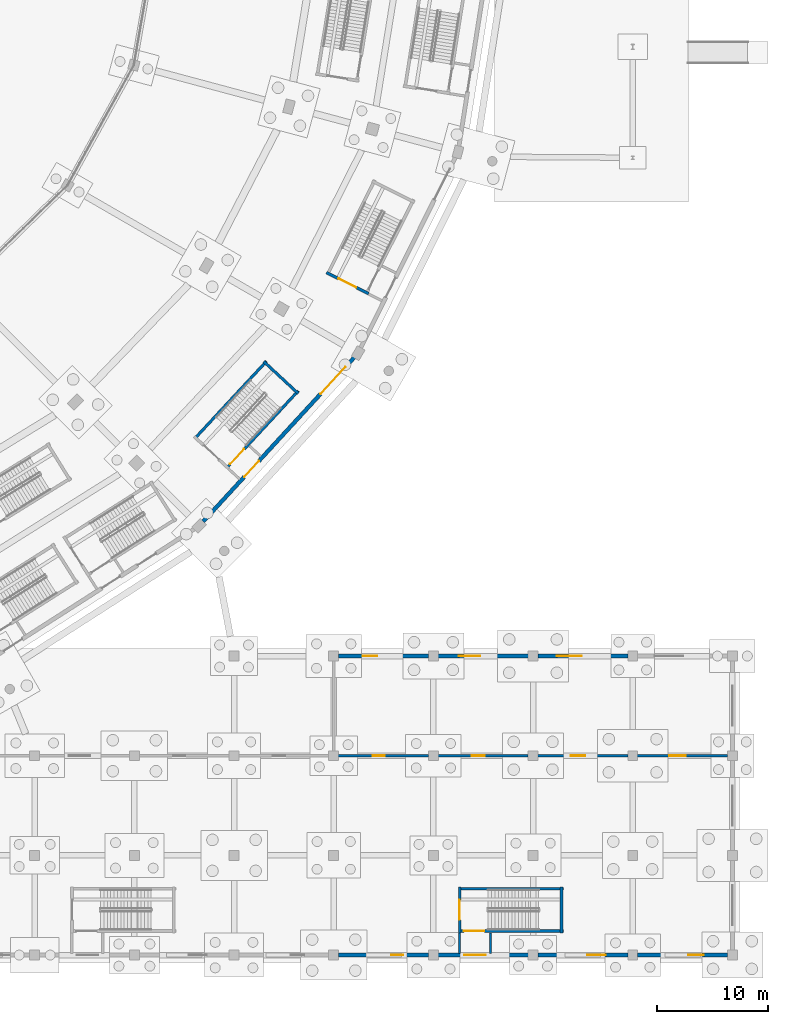
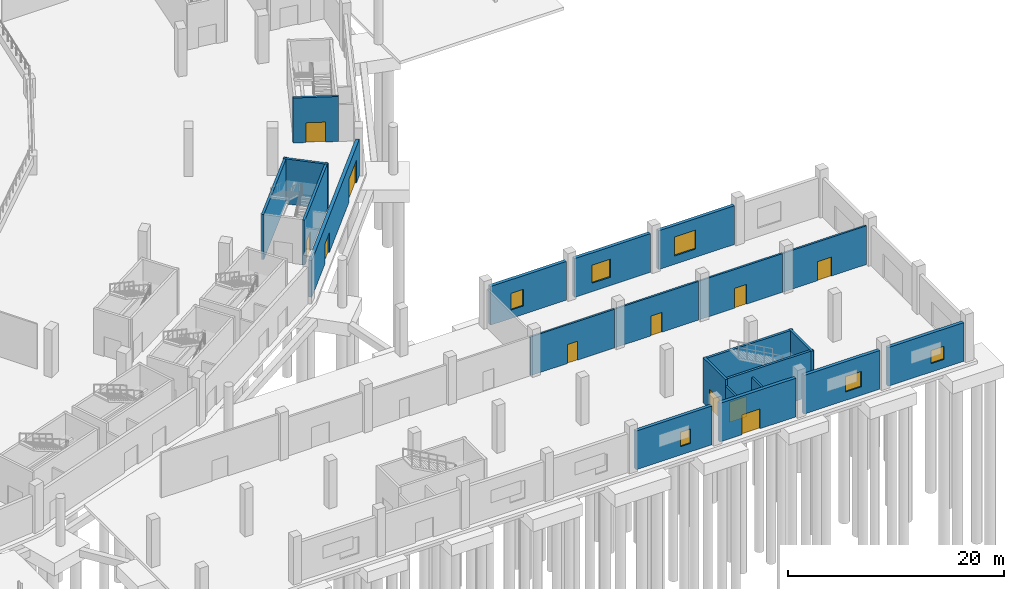
# One storey, part 38 of 103: 22 walls, 11 doors, 6 windows, 17 openings.
"""IFC4 building model written with IfcOpenShell, lengths in metres."""

from ifc_helpers import new_model, si_unit, direction, frame, frame_2d, origin, place, context, subcontext, project, spatial, rectangle, extrude, material, layer, layer_set, type_object, element, fill, save


model = new_model("IFC4")

# Units and contexts
model_context = context("Model", 3, precision=1e-05, world=origin(), true_north=direction((0.0, 1.0)))
body_context = subcontext(model_context, "Body", "Model", "MODEL_VIEW")
ifc_project = project(units=[si_unit("LENGTHUNIT", "METRE"), si_unit("AREAUNIT", "SQUARE_METRE"), si_unit("VOLUMEUNIT", "CUBIC_METRE"), si_unit("PLANEANGLEUNIT", "RADIAN"), si_unit("MASSUNIT", "GRAM", prefix="KILO")], contexts=[model_context])

# Site, building, storey
site_placement = place(None, origin())
site = spatial("IfcSite", under=ifc_project, at=site_placement, CompositionType="ELEMENT")
building_placement = place(site_placement, origin())
building = spatial("IfcBuilding", under=site, at=building_placement, Name="Zevraka Park Crest Stadium", CompositionType="ELEMENT")
storey_placement = place(building_placement, origin())
storey = spatial("IfcBuildingStorey", under=building, at=storey_placement, Name="L00", CompositionType="ELEMENT", Elevation=0.0)

# Wall, openings, doors
ifc_material_1 = material(Name="Limestone and red clay brick masonry", Category="masonry")
ifc_layer_1 = layer(ifc_material_1, 0.35009765625)
ifc_layer_set_1 = layer_set([ifc_layer_1], Name="Limestone and red clay brick masonry")
wall_type_1 = type_object("IfcWallType", Name="EW01", PredefinedType="STANDARD", material=ifc_layer_set_1)
wall_1_placement = place(storey_placement, frame((189.8369140625, 53.9541015625, 0.0), z_axis=(0.0, 0.0, 1.0), x_axis=(-0.677106454921, -0.735885078462, 0.0)))
wall_1 = element("IfcWall", 1, at=wall_1_placement, inside=storey, type_object=wall_type_1, Name="L00 Pointed-Arch Colonnade Wall EW01 21", PredefinedType="STANDARD", context=body_context, shape_type="SweptSolid", body=[
    extrude(rectangle(XDim=20.128173828125, YDim=0.35009765625, at=frame_2d((10.06396484375, 0.0))), origin(), (0.0, 0.0, 1.0), 4.1650390625),
])
opening_1_placement = place(wall_1_placement, frame((12.694091796875, 0.0, 0.0)))
opening_1 = element("IfcOpeningElement", 2, at=opening_1_placement, cuts=wall_1, Name="Opening D-L00-EX-ST22", PredefinedType="OPENING", context=body_context, shape_type="SweptSolid", body=[
    extrude(rectangle(XDim=1.949951171875, YDim=2.25, at=frame_2d((0.97509765625, 1.125))), frame((0.0, 0.18505859375, 0.0), z_axis=(0.0, -1.0, 0.0), x_axis=(1.0, 0.0, 0.0)), (0.0, 0.0, 1.0), 0.3701171875),
])
opening_2_placement = place(wall_1_placement, frame((1.16796875, 0.0, 0.0)))
opening_2 = element("IfcOpeningElement", 3, at=opening_2_placement, cuts=wall_1, Name="Opening D-L00-E22", PredefinedType="OPENING", context=body_context, shape_type="SweptSolid", body=[
    extrude(rectangle(XDim=3.300048828125, YDim=2.6201171875, at=frame_2d((1.64990234375, 1.31005859375))), frame((0.0, 0.18505859375, 0.0), z_axis=(0.0, -1.0, 0.0), x_axis=(1.0, 0.0, 0.0)), (0.0, 0.0, 1.0), 0.3701171875),
])
ifc_material_2 = material(Name="Thermally broken architectural aluminium and safety glass", Category="aluminium")
door_type_1 = type_object("IfcDoorType", Name="ED05", OperationType="NOTDEFINED", PredefinedType="DOOR", material=ifc_material_2)
door_1_placement = place(opening_1_placement, origin())
door_1 = element("IfcDoor", 4, at=door_1_placement, inside=storey, type_object=door_type_1, Name="Stair Final Exit Discharge Door D-L00-EX-ST22", OperationType="DOUBLE_DOOR_SINGLE_SWING", OverallHeight=2.25, OverallWidth=1.949951171875, PredefinedType="DOOR", context=body_context, shape_type="SweptSolid", body=[
    extrude(rectangle(XDim=1.949951171875, YDim=2.25, at=frame_2d((0.97509765625, 1.125))), frame((0.0, 0.02490234375, 0.0), z_axis=(0.0, -1.0, 0.0), x_axis=(1.0, 0.0, 0.0)), (0.0, 0.0, 1.0), 0.050048828125),
])
fill(opening_1, door_1)
ifc_material_3 = material(Name="Thermally broken architectural aluminium and safety glass", Category="aluminium")
door_type_2 = type_object("IfcDoorType", Name="ED10", OperationType="NOTDEFINED", PredefinedType="DOOR", material=ifc_material_3)
door_2_placement = place(opening_2_placement, origin())
door_2 = element("IfcDoor", 5, at=door_2_placement, inside=storey, type_object=door_type_2, Name="Concourse Final Exit E22", OperationType="DOUBLE_DOOR_SINGLE_SWING", OverallHeight=2.6201171875, OverallWidth=3.300048828125, PredefinedType="DOOR", context=body_context, shape_type="SweptSolid", body=[
    extrude(rectangle(XDim=3.300048828125, YDim=2.6201171875, at=frame_2d((1.64990234375, 1.31005859375))), frame((0.0, 0.02490234375, 0.0), z_axis=(0.0, -1.0, 0.0), x_axis=(1.0, 0.0, 0.0)), (0.0, 0.0, 1.0), 0.050048828125),
])
fill(opening_2, door_2)

# Wall, opening, window
wall_2_placement = place(storey_placement, frame((223.574951171875, 0.0, 0.0), z_axis=(0.0, 0.0, 1.0), x_axis=(-1.0, 0.0, 0.0)))
wall_2 = element("IfcWall", 6, at=wall_2_placement, inside=storey, type_object=wall_type_1, Name="Wing External Cavity Wall EW01 L00-SE-S1-1", PredefinedType="STANDARD", context=body_context, shape_type="SweptSolid", body=[
    extrude(rectangle(XDim=8.14990234375, YDim=0.35009765625, at=frame_2d((4.074951171875, 0.0))), origin(), (0.0, 0.0, 1.0), 4.383544921875),
])
opening_3_placement = place(wall_2_placement, frame((2.152099609375, 0.0, 0.949951171875)))
opening_3 = element("IfcOpeningElement", 7, at=opening_3_placement, cuts=wall_2, Name="Opening WN15", PredefinedType="OPENING", context=body_context, shape_type="SweptSolid", body=[
    extrude(rectangle(XDim=1.39990234375, YDim=1.5, at=frame_2d((0.699951171875, 0.75))), frame((0.0, 0.18505859375, 0.0), z_axis=(0.0, -1.0, 0.0), x_axis=(1.0, 0.0, 0.0)), (0.0, 0.0, 1.0), 0.3701171875),
])
ifc_material_4 = material(Name="Solar-control laminated double glazing in aluminium frame", Category="aluminium")
window_type_1 = type_object("IfcWindowType", Name="WN15", PartitioningType="SINGLE_PANEL", PredefinedType="WINDOW", material=ifc_material_4)
window_1_placement = place(opening_3_placement, origin())
window_1 = element("IfcWindow", 8, at=window_1_placement, inside=storey, type_object=window_type_1, Name="Facade Casement Window WN15 W-L00-097", OverallHeight=1.5, OverallWidth=1.39990234375, PartitioningType="SINGLE_PANEL", PredefinedType="WINDOW", context=body_context, shape_type="SweptSolid", body=[
    extrude(rectangle(XDim=1.39990234375, YDim=1.5, at=frame_2d((0.699951171875, 0.75))), frame((0.0, 0.030029296875, 0.0), z_axis=(0.0, -1.0, 0.0), x_axis=(1.0, 0.0, 0.0)), (0.0, 0.0, 1.0), 0.06005859375),
])
fill(opening_3, window_1)

wall_3_placement = place(storey_placement, frame((214.574951171875, 0.0, 0.0), z_axis=(0.0, 0.0, 1.0), x_axis=(-1.0, 0.0, 0.0)))
wall_3 = element("IfcWall", 9, at=wall_3_placement, inside=storey, type_object=wall_type_1, Name="Wing External Cavity Wall EW01 L00-SE-S1-2", PredefinedType="STANDARD", context=body_context, shape_type="SweptSolid", body=[
    extrude(rectangle(XDim=8.14990234375, YDim=0.35009765625, at=frame_2d((4.074951171875, 0.0))), origin(), (0.0, 0.0, 1.0), 4.383544921875),
])
opening_4_placement = place(wall_3_placement, frame((2.001953125, 0.0, 0.949951171875)))
opening_4 = element("IfcOpeningElement", 10, at=opening_4_placement, cuts=wall_3, Name="Opening WN16", PredefinedType="OPENING", context=body_context, shape_type="SweptSolid", body=[
    extrude(rectangle(XDim=1.699951171875, YDim=1.75, at=frame_2d((0.85009765625, 0.875))), frame((0.0, 0.18505859375, 0.0), z_axis=(0.0, -1.0, 0.0), x_axis=(1.0, 0.0, 0.0)), (0.0, 0.0, 1.0), 0.3701171875),
])
ifc_material_5 = material(Name="Solar-control laminated double glazing in aluminium frame", Category="aluminium")
window_type_2 = type_object("IfcWindowType", Name="WN16", PartitioningType="SINGLE_PANEL", PredefinedType="WINDOW", material=ifc_material_5)
window_2_placement = place(opening_4_placement, origin())
window_2 = element("IfcWindow", 11, at=window_2_placement, inside=storey, type_object=window_type_2, Name="Facade Casement Window WN16 W-L00-098", OverallHeight=1.75, OverallWidth=1.699951171875, PartitioningType="SINGLE_PANEL", PredefinedType="WINDOW", context=body_context, shape_type="SweptSolid", body=[
    extrude(rectangle(XDim=1.699951171875, YDim=1.75, at=frame_2d((0.85009765625, 0.875))), frame((0.0, 0.030029296875, 0.0), z_axis=(0.0, -1.0, 0.0), x_axis=(1.0, 0.0, 0.0)), (0.0, 0.0, 1.0), 0.06005859375),
])
fill(opening_4, window_2)

# Wall, opening, door
wall_4_placement = place(storey_placement, frame((205.574951171875, 0.0, 0.0), z_axis=(0.0, 0.0, 1.0), x_axis=(-1.0, 0.0, 0.0)))
wall_4 = element("IfcWall", 12, at=wall_4_placement, inside=storey, type_object=wall_type_1, Name="Wing External Cavity Wall EW01 L00-SE-S1-3", PredefinedType="STANDARD", context=body_context, shape_type="SweptSolid", body=[
    extrude(rectangle(XDim=8.14990234375, YDim=0.35009765625, at=frame_2d((4.074951171875, 0.0))), origin(), (0.0, 0.0, 1.0), 4.383544921875),
])
opening_5_placement = place(wall_4_placement, frame((3.85009765625, 0.0, 0.0)))
opening_5 = element("IfcOpeningElement", 13, at=opening_5_placement, cuts=wall_4, Name="Opening D-L00-EX-ST54", PredefinedType="OPENING", context=body_context, shape_type="SweptSolid", body=[
    extrude(rectangle(XDim=1.949951171875, YDim=2.25, at=frame_2d((0.97509765625, 1.125))), frame((0.0, 0.18505859375, 0.0), z_axis=(0.0, -1.0, 0.0), x_axis=(1.0, 0.0, 0.0)), (0.0, 0.0, 1.0), 0.3701171875),
])
door_3_placement = place(opening_5_placement, origin())
door_3 = element("IfcDoor", 14, at=door_3_placement, inside=storey, type_object=door_type_1, Name="Stair Final Exit Discharge Door D-L00-EX-ST54", OperationType="DOUBLE_DOOR_SINGLE_SWING", OverallHeight=2.25, OverallWidth=1.949951171875, PredefinedType="DOOR", context=body_context, shape_type="SweptSolid", body=[
    extrude(rectangle(XDim=1.949951171875, YDim=2.25, at=frame_2d((0.97509765625, 1.125))), frame((0.0, 0.02490234375, 0.0), z_axis=(0.0, -1.0, 0.0), x_axis=(1.0, 0.0, 0.0)), (0.0, 0.0, 1.0), 0.050048828125),
])
fill(opening_5, door_3)

# Wall, opening, window
wall_5_placement = place(storey_placement, frame((196.574951171875, 0.0, 0.0), z_axis=(0.0, 0.0, 1.0), x_axis=(-1.0, 0.0, 0.0)))
wall_5 = element("IfcWall", 15, at=wall_5_placement, inside=storey, type_object=wall_type_1, Name="Wing External Cavity Wall EW01 L00-SE-S1-4", PredefinedType="STANDARD", context=body_context, shape_type="SweptSolid", body=[
    extrude(rectangle(XDim=8.14990234375, YDim=0.35009765625, at=frame_2d((4.074951171875, 0.0))), origin(), (0.0, 0.0, 1.0), 4.383544921875),
])
opening_6_placement = place(wall_5_placement, frame((2.302001953125, 0.0, 0.949951171875)))
opening_6 = element("IfcOpeningElement", 16, at=opening_6_placement, cuts=wall_5, Name="Opening WN17", PredefinedType="OPENING", context=body_context, shape_type="SweptSolid", body=[
    extrude(rectangle(XDim=1.10009765625, YDim=1.64990234375, at=frame_2d((0.550048828125, 0.824951171875))), frame((0.0, 0.18505859375, 0.0), z_axis=(0.0, -1.0, 0.0), x_axis=(1.0, 0.0, 0.0)), (0.0, 0.0, 1.0), 0.3701171875),
])
ifc_material_6 = material(Name="Solar-control laminated double glazing in aluminium frame", Category="aluminium")
window_type_3 = type_object("IfcWindowType", Name="WN17", PartitioningType="SINGLE_PANEL", PredefinedType="WINDOW", material=ifc_material_6)
window_3_placement = place(opening_6_placement, origin())
window_3 = element("IfcWindow", 17, at=window_3_placement, inside=storey, type_object=window_type_3, Name="Facade Casement Window WN17 W-L00-099", OverallHeight=1.64990234375, OverallWidth=1.10009765625, PartitioningType="SINGLE_PANEL", PredefinedType="WINDOW", context=body_context, shape_type="SweptSolid", body=[
    extrude(rectangle(XDim=1.10009765625, YDim=1.64990234375, at=frame_2d((0.550048828125, 0.824951171875))), frame((0.0, 0.030029296875, 0.0), z_axis=(0.0, -1.0, 0.0), x_axis=(1.0, 0.0, 0.0)), (0.0, 0.0, 1.0), 0.06005859375),
])
fill(opening_6, window_3)

wall_6_placement = place(storey_placement, frame((188.425048828125, 27.0, 0.0), z_axis=(0.0, 0.0, 1.0), x_axis=(1.0, 0.0, 0.0)))
wall_6 = element("IfcWall", 18, at=wall_6_placement, inside=storey, type_object=wall_type_1, Name="Wing External Cavity Wall EW01 L00-SE-N-1", PredefinedType="STANDARD", context=body_context, shape_type="SweptSolid", body=[
    extrude(rectangle(XDim=8.14990234375, YDim=0.35009765625, at=frame_2d((4.074951171875, 0.0))), origin(), (0.0, 0.0, 1.0), 4.383544921875),
])
opening_7_placement = place(wall_6_placement, frame((2.177001953125, 0.0, 0.949951171875)))
opening_7 = element("IfcOpeningElement", 19, at=opening_7_placement, cuts=wall_6, Name="Opening WN09", PredefinedType="OPENING", context=body_context, shape_type="SweptSolid", body=[
    extrude(rectangle(XDim=1.35009765625, YDim=1.89990234375, at=frame_2d((0.675048828125, 0.949951171875))), frame((0.0, 0.18505859375, 0.0), z_axis=(0.0, -1.0, 0.0), x_axis=(1.0, 0.0, 0.0)), (0.0, 0.0, 1.0), 0.3701171875),
])
ifc_material_7 = material(Name="Solar-control laminated double glazing in aluminium frame", Category="aluminium")
window_type_4 = type_object("IfcWindowType", Name="WN09", PartitioningType="SINGLE_PANEL", PredefinedType="WINDOW", material=ifc_material_7)
window_4_placement = place(opening_7_placement, origin())
window_4 = element("IfcWindow", 20, at=window_4_placement, inside=storey, type_object=window_type_4, Name="Facade Casement Window WN09 W-L00-132", OverallHeight=1.89990234375, OverallWidth=1.35009765625, PartitioningType="SINGLE_PANEL", PredefinedType="WINDOW", context=body_context, shape_type="SweptSolid", body=[
    extrude(rectangle(XDim=1.35009765625, YDim=1.89990234375, at=frame_2d((0.675048828125, 0.949951171875))), frame((0.0, 0.030029296875, 0.0), z_axis=(0.0, -1.0, 0.0), x_axis=(1.0, 0.0, 0.0)), (0.0, 0.0, 1.0), 0.06005859375),
])
fill(opening_7, window_4)

wall_7_placement = place(storey_placement, frame((197.425048828125, 27.0, 0.0), z_axis=(0.0, 0.0, 1.0), x_axis=(1.0, 0.0, 0.0)))
wall_7 = element("IfcWall", 21, at=wall_7_placement, inside=storey, type_object=wall_type_1, Name="Wing External Cavity Wall EW01 L00-SE-N-2", PredefinedType="STANDARD", context=body_context, shape_type="SweptSolid", body=[
    extrude(rectangle(XDim=8.14990234375, YDim=0.35009765625, at=frame_2d((4.074951171875, 0.0))), origin(), (0.0, 0.0, 1.0), 4.383544921875),
])
opening_8_placement = place(wall_7_placement, frame((1.876953125, 0.0, 0.949951171875)))
opening_8 = element("IfcOpeningElement", 22, at=opening_8_placement, cuts=wall_7, Name="Opening WN10", PredefinedType="OPENING", context=body_context, shape_type="SweptSolid", body=[
    extrude(rectangle(XDim=1.949951171875, YDim=2.050048828125, at=frame_2d((0.97509765625, 1.02490234375))), frame((0.0, 0.18505859375, 0.0), z_axis=(0.0, -1.0, 0.0), x_axis=(1.0, 0.0, 0.0)), (0.0, 0.0, 1.0), 0.3701171875),
])
ifc_material_8 = material(Name="Solar-control laminated double glazing in aluminium frame", Category="aluminium")
window_type_5 = type_object("IfcWindowType", Name="WN10", PartitioningType="SINGLE_PANEL", PredefinedType="WINDOW", material=ifc_material_8)
window_5_placement = place(opening_8_placement, origin())
window_5 = element("IfcWindow", 23, at=window_5_placement, inside=storey, type_object=window_type_5, Name="Facade Casement Window WN10 W-L00-133", OverallHeight=2.050048828125, OverallWidth=1.949951171875, PartitioningType="SINGLE_PANEL", PredefinedType="WINDOW", context=body_context, shape_type="SweptSolid", body=[
    extrude(rectangle(XDim=1.949951171875, YDim=2.050048828125, at=frame_2d((0.97509765625, 1.02490234375))), frame((0.0, 0.030029296875, 0.0), z_axis=(0.0, -1.0, 0.0), x_axis=(1.0, 0.0, 0.0)), (0.0, 0.0, 1.0), 0.06005859375),
])
fill(opening_8, window_5)

wall_8_placement = place(storey_placement, frame((206.425048828125, 27.0, 0.0), z_axis=(0.0, 0.0, 1.0), x_axis=(1.0, 0.0, 0.0)))
wall_8 = element("IfcWall", 24, at=wall_8_placement, inside=storey, type_object=wall_type_1, Name="Wing External Cavity Wall EW01 L00-SE-N-3", PredefinedType="STANDARD", context=body_context, shape_type="SweptSolid", body=[
    extrude(rectangle(XDim=8.14990234375, YDim=0.35009765625, at=frame_2d((4.074951171875, 0.0))), origin(), (0.0, 0.0, 1.0), 4.383544921875),
])
opening_9_placement = place(wall_8_placement, frame((1.72705078125, 0.0, 0.949951171875)))
opening_9 = element("IfcOpeningElement", 25, at=opening_9_placement, cuts=wall_8, Name="Opening WN11", PredefinedType="OPENING", context=body_context, shape_type="SweptSolid", body=[
    extrude(rectangle(XDim=2.25, YDim=2.14990234375, at=frame_2d((1.125, 1.074951171875))), frame((0.0, 0.18505859375, 0.0), z_axis=(0.0, -1.0, 0.0), x_axis=(1.0, 0.0, 0.0)), (0.0, 0.0, 1.0), 0.3701171875),
])
ifc_material_9 = material(Name="Solar-control laminated double glazing in aluminium frame", Category="aluminium")
window_type_6 = type_object("IfcWindowType", Name="WN11", PartitioningType="SINGLE_PANEL", PredefinedType="WINDOW", material=ifc_material_9)
window_6_placement = place(opening_9_placement, origin())
window_6 = element("IfcWindow", 26, at=window_6_placement, inside=storey, type_object=window_type_6, Name="Facade Casement Window WN11 W-L00-134", OverallHeight=2.14990234375, OverallWidth=2.25, PartitioningType="SINGLE_PANEL", PredefinedType="WINDOW", context=body_context, shape_type="SweptSolid", body=[
    extrude(rectangle(XDim=2.25, YDim=2.14990234375, at=frame_2d((1.125, 1.074951171875))), frame((0.0, 0.030029296875, 0.0), z_axis=(0.0, -1.0, 0.0), x_axis=(1.0, 0.0, 0.0)), (0.0, 0.0, 1.0), 0.06005859375),
])
fill(opening_9, window_6)

# Walls
ifc_material_10 = material(Name="Autoclaved aerated masonry blockwork", Category="masonry")
ifc_layer_2 = layer(ifc_material_10, 0.199951171875)
ifc_layer_set_2 = layer_set([ifc_layer_2], Name="Autoclaved aerated masonry blockwork")
wall_type_2 = type_object("IfcWallType", Name="IW01", PredefinedType="PARTITIONING", material=ifc_layer_set_2)
for number, where, z_axis, x_axis, name in (
    (27, (199.35009765625, 2.0, 0.0), (0.0, 0.0, 1.0), (0.0, -1.0, 0.0), "Protected Exit Passageway Wall IW01 ST54-A"),
    (28, (202.14990234375, 2.0, 0.0), (0.0, 0.0, 1.0), (0.0, -1.0, 0.0), "Protected Exit Passageway Wall IW01 ST54-B"),
):
    element("IfcWall", number, at=place(storey_placement, frame(where, z_axis=z_axis, x_axis=x_axis)), inside=storey, type_object=wall_type_2, Name=name, PredefinedType="PARTITIONING", context=body_context, shape_type="SweptSolid", body=[
        extrude(rectangle(XDim=1.844970703125, YDim=0.199951171875, at=frame_2d((0.92236328125, 0.0))), origin(), (0.0, 0.0, 1.0), 4.383544921875),
    ])

# Wall, opening, door
wall_9_placement = place(storey_placement, frame((187.550048828125, 18.0, 0.0), z_axis=(0.0, 0.0, 1.0), x_axis=(1.0, 0.0, 0.0)))
wall_9 = element("IfcWall", 29, at=wall_9_placement, inside=storey, type_object=wall_type_2, Name="Interior Partition IW01 Central Chiller and Pump Plant Room L00", PredefinedType="PARTITIONING", context=body_context, shape_type="SweptSolid", body=[
    extrude(rectangle(XDim=9.014892578125, YDim=0.199951171875, at=frame_2d((4.50732421875, 0.0))), origin(), (0.0, 0.0, 1.0), 4.383544921875),
])
opening_10_placement = place(wall_9_placement, frame((3.95703125, 0.0, 0.0)))
opening_10 = element("IfcOpeningElement", 30, at=opening_10_placement, cuts=wall_9, Name="Opening D-L00-373", PredefinedType="OPENING", context=body_context, shape_type="SweptSolid", body=[
    extrude(rectangle(XDim=1.10009765625, YDim=2.14990234375, at=frame_2d((0.550048828125, 1.074951171875))), frame((0.0, 0.10986328125, 0.0), z_axis=(0.0, -1.0, 0.0), x_axis=(1.0, 0.0, 0.0)), (0.0, 0.0, 1.0), 0.219970703125),
])
ifc_material_11 = material(Name="Solid-core hardwood timber leaf in steel frame", Category="steel")
door_type_3 = type_object("IfcDoorType", Name="DR10", OperationType="NOTDEFINED", PredefinedType="DOOR", material=ifc_material_11)
door_4_placement = place(opening_10_placement, origin())
door_4 = element("IfcDoor", 31, at=door_4_placement, inside=storey, type_object=door_type_3, Name="Central Chiller and Pump Plant Room Door D-L00-373", OperationType="SINGLE_SWING_RIGHT", OverallHeight=2.14990234375, OverallWidth=1.10009765625, PredefinedType="DOOR", context=body_context, shape_type="SweptSolid", body=[
    extrude(rectangle(XDim=1.10009765625, YDim=2.14990234375, at=frame_2d((0.550048828125, 1.074951171875))), frame((0.0, 0.02490234375, 0.0), z_axis=(0.0, -1.0, 0.0), x_axis=(1.0, 0.0, 0.0)), (0.0, 0.0, 1.0), 0.050048828125),
])
fill(opening_10, door_4)

wall_10_placement = place(storey_placement, frame((196.550048828125, 18.0, 0.0), z_axis=(0.0, 0.0, 1.0), x_axis=(1.0, 0.0, 0.0)))
wall_10 = element("IfcWall", 32, at=wall_10_placement, inside=storey, type_object=wall_type_2, Name="Interior Partition IW01 Central Chiller and Pump Plant Room L00", PredefinedType="PARTITIONING", context=body_context, shape_type="SweptSolid", body=[
    extrude(rectangle(XDim=9.014892578125, YDim=0.199951171875, at=frame_2d((4.50732421875, 0.0))), origin(), (0.0, 0.0, 1.0), 4.383544921875),
])
opening_11_placement = place(wall_10_placement, frame((3.906982421875, 0.0, 0.0)))
opening_11 = element("IfcOpeningElement", 33, at=opening_11_placement, cuts=wall_10, Name="Opening D-L00-374", PredefinedType="OPENING", context=body_context, shape_type="SweptSolid", body=[
    extrude(rectangle(XDim=1.199951171875, YDim=2.25, at=frame_2d((0.60009765625, 1.125))), frame((0.0, 0.10986328125, 0.0), z_axis=(0.0, -1.0, 0.0), x_axis=(1.0, 0.0, 0.0)), (0.0, 0.0, 1.0), 0.219970703125),
])
ifc_material_12 = material(Name="Solid-core hardwood timber leaf in steel frame", Category="steel")
door_type_4 = type_object("IfcDoorType", Name="DR11", OperationType="NOTDEFINED", PredefinedType="DOOR", material=ifc_material_12)
door_5_placement = place(opening_11_placement, origin())
door_5 = element("IfcDoor", 34, at=door_5_placement, inside=storey, type_object=door_type_4, Name="Central Chiller and Pump Plant Room Door D-L00-374", OperationType="SINGLE_SWING_LEFT", OverallHeight=2.25, OverallWidth=1.199951171875, PredefinedType="DOOR", context=body_context, shape_type="SweptSolid", body=[
    extrude(rectangle(XDim=1.199951171875, YDim=2.25, at=frame_2d((0.60009765625, 1.125))), frame((0.0, 0.02490234375, 0.0), z_axis=(0.0, -1.0, 0.0), x_axis=(1.0, 0.0, 0.0)), (0.0, 0.0, 1.0), 0.050048828125),
])
fill(opening_11, door_5)

wall_11_placement = place(storey_placement, frame((205.550048828125, 18.0, 0.0), z_axis=(0.0, 0.0, 1.0), x_axis=(1.0, 0.0, 0.0)))
wall_11 = element("IfcWall", 35, at=wall_11_placement, inside=storey, type_object=wall_type_2, Name="Interior Partition IW01 Central Chiller and Pump Plant Room L00", PredefinedType="PARTITIONING", context=body_context, shape_type="SweptSolid", body=[
    extrude(rectangle(XDim=9.014892578125, YDim=0.199951171875, at=frame_2d((4.50732421875, 0.0))), origin(), (0.0, 0.0, 1.0), 4.383544921875),
])
opening_12_placement = place(wall_11_placement, frame((3.85693359375, 0.0, 0.0)))
opening_12 = element("IfcOpeningElement", 36, at=opening_12_placement, cuts=wall_11, Name="Opening D-L00-375", PredefinedType="OPENING", context=body_context, shape_type="SweptSolid", body=[
    extrude(rectangle(XDim=1.300048828125, YDim=2.25, at=frame_2d((0.64990234375, 1.125))), frame((0.0, 0.10986328125, 0.0), z_axis=(0.0, -1.0, 0.0), x_axis=(1.0, 0.0, 0.0)), (0.0, 0.0, 1.0), 0.219970703125),
])
ifc_material_13 = material(Name="Solid-core hardwood timber leaf in steel frame", Category="steel")
door_type_5 = type_object("IfcDoorType", Name="DR12", OperationType="NOTDEFINED", PredefinedType="DOOR", material=ifc_material_13)
door_6_placement = place(opening_12_placement, origin())
door_6 = element("IfcDoor", 37, at=door_6_placement, inside=storey, type_object=door_type_5, Name="Central Chiller and Pump Plant Room Door D-L00-375", OperationType="SINGLE_SWING_RIGHT", OverallHeight=2.25, OverallWidth=1.300048828125, PredefinedType="DOOR", context=body_context, shape_type="SweptSolid", body=[
    extrude(rectangle(XDim=1.300048828125, YDim=2.25, at=frame_2d((0.64990234375, 1.125))), frame((0.0, 0.02490234375, 0.0), z_axis=(0.0, -1.0, 0.0), x_axis=(1.0, 0.0, 0.0)), (0.0, 0.0, 1.0), 0.050048828125),
])
fill(opening_12, door_6)

wall_12_placement = place(storey_placement, frame((214.550048828125, 18.0, 0.0), z_axis=(0.0, 0.0, 1.0), x_axis=(1.0, 0.0, 0.0)))
wall_12 = element("IfcWall", 38, at=wall_12_placement, inside=storey, type_object=wall_type_2, Name="Interior Partition IW01 Central Chiller and Pump Plant Room L00", PredefinedType="PARTITIONING", context=body_context, shape_type="SweptSolid", body=[
    extrude(rectangle(XDim=9.014892578125, YDim=0.199951171875, at=frame_2d((4.50732421875, 0.0))), origin(), (0.0, 0.0, 1.0), 4.383544921875),
])
opening_13_placement = place(wall_12_placement, frame((3.757080078125, 0.0, 0.0)))
opening_13 = element("IfcOpeningElement", 39, at=opening_13_placement, cuts=wall_12, Name="Opening D-L00-376", PredefinedType="OPENING", context=body_context, shape_type="SweptSolid", body=[
    extrude(rectangle(XDim=1.5, YDim=2.14990234375, at=frame_2d((0.75, 1.074951171875))), frame((0.0, 0.10986328125, 0.0), z_axis=(0.0, -1.0, 0.0), x_axis=(1.0, 0.0, 0.0)), (0.0, 0.0, 1.0), 0.219970703125),
])
ifc_material_14 = material(Name="Solid-core hardwood timber leaf in steel frame", Category="steel")
door_type_6 = type_object("IfcDoorType", Name="DR13", OperationType="NOTDEFINED", PredefinedType="DOOR", material=ifc_material_14)
door_7_placement = place(opening_13_placement, origin())
door_7 = element("IfcDoor", 40, at=door_7_placement, inside=storey, type_object=door_type_6, Name="Central Chiller and Pump Plant Room Door D-L00-376", OperationType="DOUBLE_DOOR_SINGLE_SWING", OverallHeight=2.14990234375, OverallWidth=1.5, PredefinedType="DOOR", context=body_context, shape_type="SweptSolid", body=[
    extrude(rectangle(XDim=1.5, YDim=2.14990234375, at=frame_2d((0.75, 1.074951171875))), frame((0.0, 0.02490234375, 0.0), z_axis=(0.0, -1.0, 0.0), x_axis=(1.0, 0.0, 0.0)), (0.0, 0.0, 1.0), 0.050048828125),
])
fill(opening_13, door_7)

ifc_material_15 = material(Name="Concrete C40/50", Category="concrete")
ifc_layer_3 = layer(ifc_material_15, 0.25)
ifc_layer_set_3 = layer_set([ifc_layer_3], Name="Concrete C40/50")
wall_type_3 = type_object("IfcWallType", Name="SW01", PredefinedType="SHEAR", material=ifc_layer_set_3)
wall_13_placement = place(storey_placement, frame((184.802001953125, 50.9521484375, 0.0), z_axis=(0.0, 0.0, 1.0), x_axis=(-0.680257902718, -0.7329728411, 0.0)))
wall_13 = element("IfcWall", 41, at=wall_13_placement, inside=storey, type_object=wall_type_3, Name="Stair Core Shear Wall SW01 ST22 L00 left", PredefinedType="SHEAR", context=body_context, shape_type="SweptSolid", body=[
    extrude(rectangle(XDim=9.5498046875, YDim=0.25, at=frame_2d((4.77490234375, 0.0))), origin(), (0.0, 0.0, 1.0), 5.10009765625),
])
opening_14_placement = place(wall_13_placement, frame((7.18994140625, 0.0, 0.0)))
opening_14 = element("IfcOpeningElement", 42, at=opening_14_placement, cuts=wall_13, Name="Opening D-L00-130", PredefinedType="OPENING", context=body_context, shape_type="SweptSolid", body=[
    extrude(rectangle(XDim=1.85009765625, YDim=2.300048828125, at=frame_2d((0.925048828125, 1.14990234375))), frame((0.0, 0.135009765625, 0.0), z_axis=(0.0, -1.0, 0.0), x_axis=(1.0, 0.0, 0.0)), (0.0, 0.0, 1.0), 0.27001953125),
])
ifc_material_16 = material(Name="Solid-core hardwood timber leaf in steel frame", Category="steel")
door_type_7 = type_object("IfcDoorType", Name="DR05", OperationType="NOTDEFINED", PredefinedType="DOOR", material=ifc_material_16)
door_8_placement = place(opening_14_placement, origin())
door_8 = element("IfcDoor", 43, at=door_8_placement, inside=storey, type_object=door_type_7, Name="Stair Exit Discharge Door ST22", OperationType="DOUBLE_DOOR_SINGLE_SWING", OverallHeight=2.300048828125, OverallWidth=1.85009765625, PredefinedType="DOOR", context=body_context, shape_type="SweptSolid", body=[
    extrude(rectangle(XDim=1.85009765625, YDim=2.300048828125, at=frame_2d((0.925048828125, 1.14990234375))), frame((0.0, 0.02490234375, 0.0), z_axis=(0.0, -1.0, 0.0), x_axis=(1.0, 0.0, 0.0)), (0.0, 0.0, 1.0), 0.050048828125),
])
fill(opening_14, door_8)

# Walls
wall_14_placement = place(storey_placement, frame((181.9287109375, 53.618896484375, 0.0), z_axis=(0.0, 0.0, 1.0), x_axis=(-0.680245155897, -0.732984670971, 0.0)))
element("IfcWall", 44, at=wall_14_placement, inside=storey, type_object=wall_type_3, Name="Stair Core Shear Wall SW01 ST22 L00 right", PredefinedType="SHEAR", context=body_context, shape_type="SweptSolid", body=[
    extrude(rectangle(XDim=9.550048828125, YDim=0.25, at=frame_2d((4.77490234375, 0.0))), origin(), (0.0, 0.0, 1.0), 5.10009765625),
])
wall_15_placement = place(storey_placement, frame((184.80078125, 50.700927734375, 0.0), z_axis=(0.0, 0.0, 1.0), x_axis=(-0.732977166505, 0.680253242096, 0.0)))
element("IfcWall", 45, at=wall_15_placement, inside=storey, type_object=wall_type_3, Name="Stair Core Shear Wall SW01 ST22 L00 far", PredefinedType="SHEAR", context=body_context, shape_type="SweptSolid", body=[
    extrude(rectangle(XDim=4.260009765625, YDim=0.25, at=frame_2d((2.1298828125, 0.0))), origin(), (0.0, 0.0, 1.0), 5.10009765625),
])

# Wall, opening, door
wall_16_placement = place(storey_placement, frame((187.335693359375, 61.63037109375, 0.0), z_axis=(0.0, 0.0, 1.0), x_axis=(0.894071595331, -0.447924081092, 0.0)))
wall_16 = element("IfcWall", 46, at=wall_16_placement, inside=storey, type_object=wall_type_3, Name="Stair Core Shear Wall SW01 ST23 L00 near", PredefinedType="SHEAR", context=body_context, shape_type="SweptSolid", body=[
    extrude(rectangle(XDim=4.260009765625, YDim=0.25, at=frame_2d((2.1298828125, 0.0))), origin(), (0.0, 0.0, 1.0), 5.10009765625),
])
opening_15_placement = place(wall_16_placement, frame((1.22998046875, 0.0, 0.0)))
opening_15 = element("IfcOpeningElement", 47, at=opening_15_placement, cuts=wall_16, Name="Opening D-L00-134", PredefinedType="OPENING", context=body_context, shape_type="SweptSolid", body=[
    extrude(rectangle(XDim=1.800048828125, YDim=2.25, at=frame_2d((0.89990234375, 1.125))), frame((0.0, 0.135009765625, 0.0), z_axis=(0.0, -1.0, 0.0), x_axis=(1.0, 0.0, 0.0)), (0.0, 0.0, 1.0), 0.27001953125),
])
ifc_material_17 = material(Name="Solid-core hardwood timber leaf in steel frame", Category="steel")
door_type_8 = type_object("IfcDoorType", Name="DR04", OperationType="NOTDEFINED", PredefinedType="DOOR", material=ifc_material_17)
door_9_placement = place(opening_15_placement, origin())
door_9 = element("IfcDoor", 48, at=door_9_placement, inside=storey, type_object=door_type_8, Name="Protected Stair Entry Door ST23 L00", OperationType="DOUBLE_DOOR_SINGLE_SWING", OverallHeight=2.25, OverallWidth=1.800048828125, PredefinedType="DOOR", context=body_context, shape_type="SweptSolid", body=[
    extrude(rectangle(XDim=1.800048828125, YDim=2.25, at=frame_2d((0.89990234375, 1.125))), frame((0.0, 0.02490234375, 0.0), z_axis=(0.0, -1.0, 0.0), x_axis=(1.0, 0.0, 0.0)), (0.0, 0.0, 1.0), 0.050048828125),
])
fill(opening_15, door_9)

wall_17_placement = place(storey_placement, frame((208.75, 2.169921875, 0.0), z_axis=(0.0, 0.0, 1.0), x_axis=(-1.0, 0.0, 0.0)))
wall_17 = element("IfcWall", 49, at=wall_17_placement, inside=storey, type_object=wall_type_3, Name="Stair Core Shear Wall SW01 ST54 L00 left", PredefinedType="SHEAR", context=body_context, shape_type="SweptSolid", body=[
    extrude(rectangle(XDim=9.5, YDim=0.25, at=frame_2d((4.75, 0.0))), origin(), (0.0, 0.0, 1.0), 5.10009765625),
])
opening_16_placement = place(wall_17_placement, frame((7.139892578125, 0.0, 0.0)))
opening_16 = element("IfcOpeningElement", 50, at=opening_16_placement, cuts=wall_17, Name="Opening D-L00-279", PredefinedType="OPENING", context=body_context, shape_type="SweptSolid", body=[
    extrude(rectangle(XDim=1.85009765625, YDim=2.300048828125, at=frame_2d((0.925048828125, 1.14990234375))), frame((0.0, 0.135009765625, 0.0), z_axis=(0.0, -1.0, 0.0), x_axis=(1.0, 0.0, 0.0)), (0.0, 0.0, 1.0), 0.27001953125),
])
door_10_placement = place(opening_16_placement, origin())
door_10 = element("IfcDoor", 51, at=door_10_placement, inside=storey, type_object=door_type_7, Name="Stair Exit Discharge Door ST54", OperationType="DOUBLE_DOOR_SINGLE_SWING", OverallHeight=2.300048828125, OverallWidth=1.85009765625, PredefinedType="DOOR", context=body_context, shape_type="SweptSolid", body=[
    extrude(rectangle(XDim=1.85009765625, YDim=2.300048828125, at=frame_2d((0.925048828125, 1.14990234375))), frame((0.0, 0.02490234375, 0.0), z_axis=(0.0, -1.0, 0.0), x_axis=(1.0, 0.0, 0.0)), (0.0, 0.0, 1.0), 0.050048828125),
])
fill(opening_16, door_10)

# Wall
wall_18_placement = place(storey_placement, frame((208.75, 5.989990234375, 0.0), z_axis=(0.0, 0.0, 1.0), x_axis=(-1.0, 0.0, 0.0)))
element("IfcWall", 52, at=wall_18_placement, inside=storey, type_object=wall_type_3, Name="Stair Core Shear Wall SW01 ST54 L00 right", PredefinedType="SHEAR", context=body_context, shape_type="SweptSolid", body=[
    extrude(rectangle(XDim=9.5, YDim=0.25, at=frame_2d((4.75, 0.0))), origin(), (0.0, 0.0, 1.0), 5.10009765625),
])

# Wall, opening, door
wall_19_placement = place(storey_placement, frame((199.375, 6.159912109375, 0.0), z_axis=(0.0, 0.0, 1.0), x_axis=(0.0, -1.0, 0.0)))
wall_19 = element("IfcWall", 53, at=wall_19_placement, inside=storey, type_object=wall_type_3, Name="Stair Core Shear Wall SW01 ST54 L00 near", PredefinedType="SHEAR", context=body_context, shape_type="SweptSolid", body=[
    extrude(rectangle(XDim=4.159912109375, YDim=0.25, at=frame_2d((2.080078125, 0.0))), origin(), (0.0, 0.0, 1.0), 5.10009765625),
])
opening_17_placement = place(wall_19_placement, frame((1.179931640625, 0.0, 0.0)))
opening_17 = element("IfcOpeningElement", 54, at=opening_17_placement, cuts=wall_19, Name="Opening D-L00-278", PredefinedType="OPENING", context=body_context, shape_type="SweptSolid", body=[
    extrude(rectangle(XDim=1.800048828125, YDim=2.25, at=frame_2d((0.89990234375, 1.125))), frame((0.0, 0.135009765625, 0.0), z_axis=(0.0, -1.0, 0.0), x_axis=(1.0, 0.0, 0.0)), (0.0, 0.0, 1.0), 0.27001953125),
])
door_11_placement = place(opening_17_placement, origin())
door_11 = element("IfcDoor", 55, at=door_11_placement, inside=storey, type_object=door_type_8, Name="Protected Stair Entry Door ST54 L00", OperationType="DOUBLE_DOOR_SINGLE_SWING", OverallHeight=2.25, OverallWidth=1.800048828125, PredefinedType="DOOR", context=body_context, shape_type="SweptSolid", body=[
    extrude(rectangle(XDim=1.800048828125, YDim=2.25, at=frame_2d((0.89990234375, 1.125))), frame((0.0, 0.02490234375, 0.0), z_axis=(0.0, -1.0, 0.0), x_axis=(1.0, 0.0, 0.0)), (0.0, 0.0, 1.0), 0.050048828125),
])
fill(opening_17, door_11)

# Wall
wall_20_placement = place(storey_placement, frame((208.56494140625, 2.0, 0.0), z_axis=(0.0, 0.0, 1.0), x_axis=(0.0, 1.0, 0.0)))
element("IfcWall", 56, at=wall_20_placement, inside=storey, type_object=wall_type_3, Name="Stair Core Shear Wall SW01 ST54 L00 far", PredefinedType="SHEAR", context=body_context, shape_type="SweptSolid", body=[
    extrude(rectangle(XDim=4.159912109375, YDim=0.25, at=frame_2d((2.080078125, 0.0))), origin(), (0.0, 0.0, 1.0), 5.10009765625),
])

save(model, "model.ifc")
